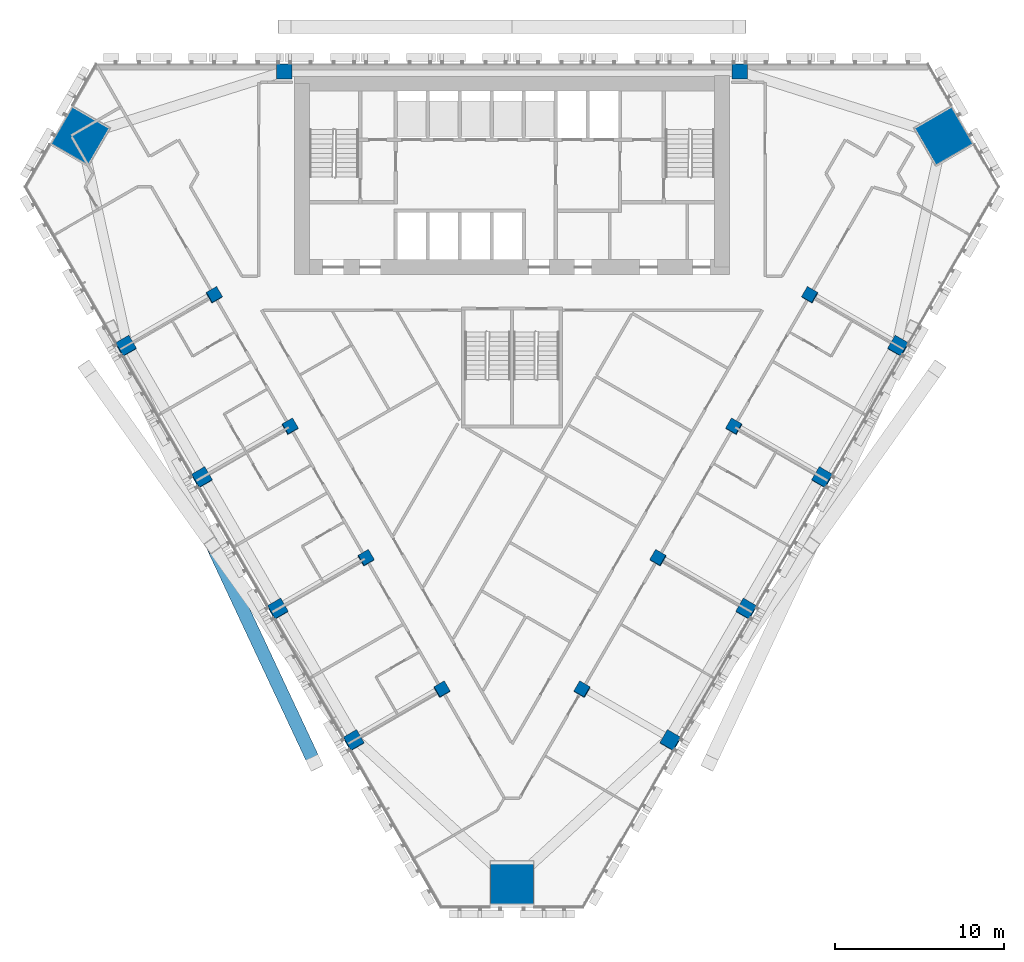
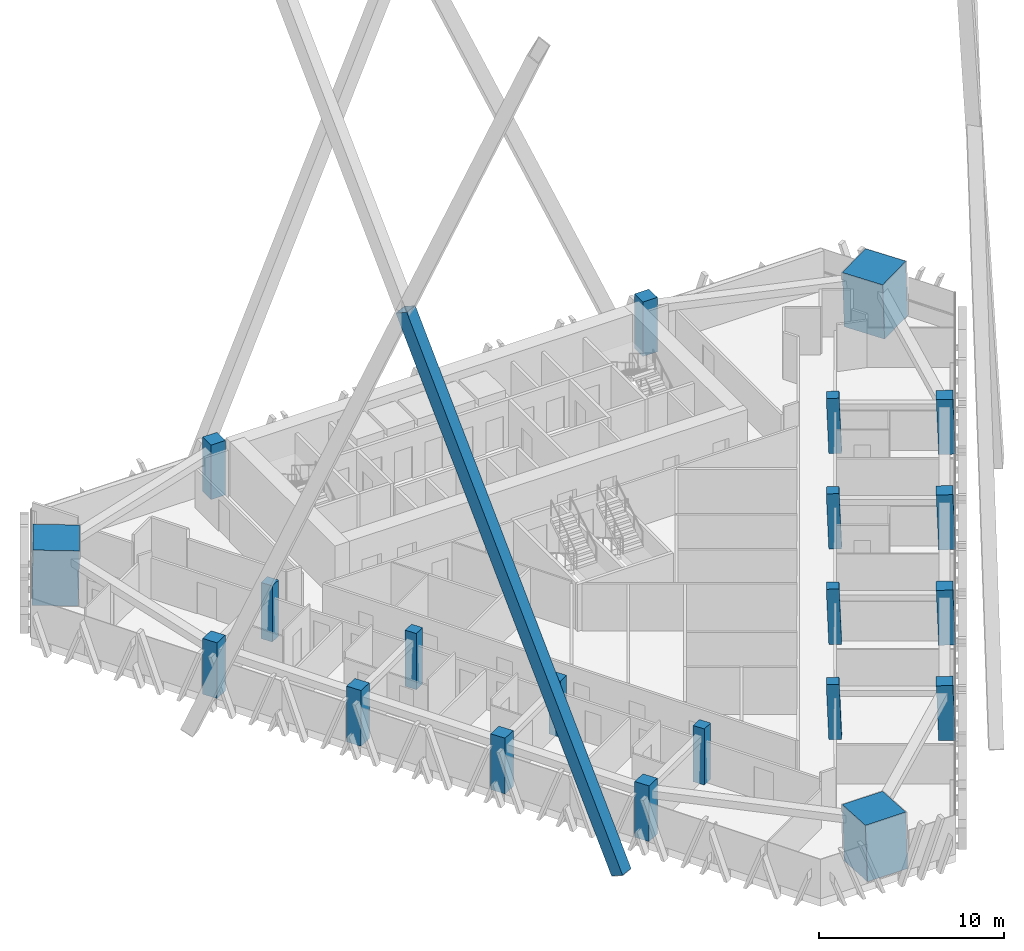
# One storey, part 1 of 23: 21 columns, 1 member.
"""IFC4 building model written with IfcOpenShell, lengths in metres."""

from ifc_helpers import new_model, si_unit, direction, frame, origin, origin_2d, place, context, subcontext, project, spatial, rectangle, hollow_rectangle, extrude, material, material_profile, profile_set, type_object, element, save


model = new_model("IFC4")

# Units and contexts
model_context = context("Model", 3, precision=1e-05, world=origin(), true_north=direction((0.0, 1.0)))
body_context = subcontext(model_context, "Body", "Model", "MODEL_VIEW")
ifc_project = project(units=[si_unit("LENGTHUNIT", "METRE"), si_unit("AREAUNIT", "SQUARE_METRE"), si_unit("VOLUMEUNIT", "CUBIC_METRE"), si_unit("PLANEANGLEUNIT", "RADIAN"), si_unit("MASSUNIT", "GRAM", prefix="KILO")], contexts=[model_context])

# Site, building, storey
site_placement = place(None, origin())
site = spatial("IfcSite", under=ifc_project, at=site_placement, CompositionType="ELEMENT")
building_placement = place(site_placement, origin())
building = spatial("IfcBuilding", under=site, at=building_placement, Name="Altiplano Prism Tower", CompositionType="ELEMENT")
storey_placement = place(building_placement, frame((0.0, 0.0, 100.800048828125)))
storey = spatial("IfcBuildingStorey", under=building, at=storey_placement, Name="L25", CompositionType="ELEMENT", Elevation=100.800048828125)

# Columns
ifc_material_1 = material(Name="Concrete C60/75", Category="concrete")
ifc_material_profile_1 = material_profile(ifc_material_1, rectangle(XDim=0.699951171875, YDim=0.699951171875, at=origin_2d()), Name="Inner column 700")
ifc_profile_set_1 = profile_set([ifc_material_profile_1], Name="Concrete C60/75")
column_type_1 = type_object("IfcColumnType", Name="Inner column 700", PredefinedType="COLUMN", material=ifc_profile_set_1)
for number, where, z_axis, x_axis, name in (
    (1, (67.33203125, 91.28076171875, -0.021240234375), (0.02215519141, 0.038415882353, 0.999016199807), (-0.865364621668, -0.499668992839, 0.038405327245), "Inner column I11 L25"),
    (2, (71.83203125, 83.486572265625, -0.021240234375), (0.02215519141, 0.038415882353, 0.999016199807), (-0.865364621668, -0.499668992839, 0.038405327245), "Inner column I12 L25"),
    (3, (76.33203125, 75.6923828125, -0.021240234375), (0.02215519141, 0.038415882353, 0.999016199807), (-0.865364630406, -0.499668977735, 0.038405326858), "Inner column I13 L25"),
    (4, (80.83203125, 67.89794921875, -0.021240234375), (0.022155133694, 0.038483534979, 0.999013597298), (-0.864982374722, -0.500326515773, 0.038456066293), "Inner column I14 L25"),
    (5, (89.16796875, 67.89794921875, -0.021240234375), (-0.022155133694, 0.038483534979, 0.999013597298), (-0.501312917718, -0.864981153061, 0.022202778626), "Inner column I21 L25"),
    (6, (93.66796875, 75.6923828125, -0.021240234375), (-0.02215519141, 0.038415882353, 0.999016199807), (-0.500652777817, -0.865364161883, 0.022173483991), "Inner column I22 L25"),
    (7, (98.16796875, 83.486572265625, -0.021240234375), (-0.02215519141, 0.038415882353, 0.999016199807), (-0.50065279292, -0.865364153162, 0.02217348332), "Inner column I23 L25"),
    (8, (102.66796875, 91.28076171875, -0.021240234375), (-0.02215519141, 0.038415882353, 0.999016199807), (-0.50065279292, -0.865364153162, 0.02217348332), "Inner column I24 L25"),
):
    element("IfcColumn", number, at=place(storey_placement, frame(where, z_axis=z_axis, x_axis=x_axis)), inside=storey, type_object=column_type_1, Name=name, PredefinedType="COLUMN", context=body_context, shape_type="SweptSolid", body=[
        extrude(rectangle(XDim=0.699951171875, YDim=0.699951171875, at=origin_2d()), origin(), (0.0, 0.0, 1.0), 3.603515625),
    ])
ifc_material_2 = material(Name="Concrete C70/85", Category="concrete")
ifc_material_profile_2 = material_profile(ifc_material_2, rectangle(XDim=2.52001953125, YDim=2.52001953125, at=origin_2d()), Name="Mega column infill 2600")
ifc_profile_set_2 = profile_set([ifc_material_profile_2], Name="Concrete C70/85")
column_type_2 = type_object("IfcColumnType", Name="Mega column infill 2600", PredefinedType="COLUMN", material=ifc_profile_set_2)
column_1_placement = place(storey_placement, frame((59.348876953125, 100.703125, 0.0), z_axis=(0.028403739082, 0.009219352065, 0.999554016126), x_axis=(-0.865121500753, 0.501164983388, 0.019961171317)))
element("IfcColumn", 9, at=column_1_placement, inside=storey, type_object=column_type_2, Name="Mega column M0 L25", PredefinedType="COLUMN", context=body_context, shape_type="SweptSolid", body=[
    extrude(rectangle(XDim=2.52001953125, YDim=2.52001953125, at=origin_2d()), origin(), (0.0, 0.0, 1.0), 3.6015625),
])
column_2_placement = place(storey_placement, frame((85.0, 56.274169921875, 0.0), z_axis=(0.0, 0.058360852261, 0.998295552892), x_axis=(-1.0, 0.0, 0.0)))
element("IfcColumn", 10, at=column_2_placement, inside=storey, type_object=column_type_2, Name="Mega column M1 L25", PredefinedType="COLUMN", context=body_context, shape_type="SweptSolid", body=[
    extrude(rectangle(XDim=2.52001953125, YDim=2.52001953125, at=origin_2d()), origin(), (0.0, 0.0, 1.0), 3.60595703125),
])
column_3_placement = place(storey_placement, frame((110.651123046875, 100.703125, 0.0), z_axis=(-0.028403739082, 0.009219352065, 0.999554016126), x_axis=(0.500757442821, -0.865302642417, 0.022210819119)))
element("IfcColumn", 11, at=column_3_placement, inside=storey, type_object=column_type_2, Name="Mega column M2 L25", PredefinedType="COLUMN", context=body_context, shape_type="SweptSolid", body=[
    extrude(rectangle(XDim=2.52001953125, YDim=2.52001953125, at=origin_2d()), origin(), (0.0, 0.0, 1.0), 3.6015625),
])
ifc_material_profile_3 = material_profile(ifc_material_1, rectangle(XDim=0.89990234375, YDim=0.89990234375, at=origin_2d()), Name="Perimeter column 900")
ifc_profile_set_3 = profile_set([ifc_material_profile_3], Name="Concrete C60/75")
column_type_3 = type_object("IfcColumnType", Name="Perimeter column 900", PredefinedType="COLUMN", material=ifc_profile_set_3)
for number, where, z_axis, x_axis, name in (
    (12, (98.5, 104.550048828125, 0.0), (0.0, 0.0, 1.0), (1.0, 0.0, 0.0), "Perimeter column P01 L25"),
    (13, (71.5, 104.550048828125, 0.0), (0.0, 0.0, 1.0), (1.0, 0.0, 0.0), "Perimeter column P04 L25"),
):
    element("IfcColumn", number, at=place(storey_placement, frame(where, z_axis=z_axis, x_axis=x_axis)), inside=storey, type_object=column_type_3, Name=name, PredefinedType="COLUMN", context=body_context, shape_type="SweptSolid", body=[
        extrude(rectangle(XDim=0.89990234375, YDim=0.89990234375, at=origin_2d()), origin(), (0.0, 0.0, 1.0), 3.599853515625),
    ])
for number, where, z_axis, x_axis, name in (
    (14, (62.093017578125, 88.256591796875, 0.0), (0.022186675517, 0.038434148665, 0.999014798512), (-0.865568283213, -0.499314007513, 0.038432655342), "Perimeter column P11 L25"),
    (15, (66.593017578125, 80.46240234375, 0.0), (0.022186675517, 0.038434148665, 0.999014798512), (-0.865568283213, -0.499314007513, 0.038432655342), "Perimeter column P12 L25"),
    (16, (71.093017578125, 72.66796875, 0.0), (0.022186617253, 0.038502314248, 0.999012175007), (-0.865183402307, -0.49997667947, 0.038483767457), "Perimeter column P13 L25"),
    (17, (75.593017578125, 64.873779296875, 0.0), (0.022186675517, 0.038434148665, 0.999014798512), (-0.865568283213, -0.499314007513, 0.038432655342), "Perimeter column P14 L25"),
    (18, (94.406982421875, 64.873779296875, 0.0), (-0.022186675517, 0.038434148665, 0.999014798512), (-0.500299208999, -0.865568216906, 0.022189262211), "Perimeter column P21 L25"),
    (19, (98.906982421875, 72.66796875, 0.0), (-0.022186617253, 0.038502314248, 0.999012175007), (-0.500964504119, -0.865182577138, 0.022218772015), "Perimeter column P22 L25"),
    (20, (103.406982421875, 80.46240234375, 0.0), (-0.022186675517, 0.038434148665, 0.999014798512), (-0.500299208999, -0.865568216906, 0.022189262211), "Perimeter column P23 L25"),
    (21, (107.906982421875, 88.256591796875, 0.0), (-0.022186675517, 0.038434148665, 0.999014798512), (-0.500299208999, -0.865568216906, 0.022189262211), "Perimeter column P24 L25"),
):
    element("IfcColumn", number, at=place(storey_placement, frame(where, z_axis=z_axis, x_axis=x_axis)), inside=storey, type_object=column_type_3, Name=name, PredefinedType="COLUMN", context=body_context, shape_type="SweptSolid", body=[
        extrude(rectangle(XDim=0.89990234375, YDim=0.89990234375, at=origin_2d()), origin(), (0.0, 0.0, 1.0), 3.576171875),
    ])

# Member
ifc_material_3 = material(Name="Steel S355", Category="steel")
ifc_material_profile_4 = material_profile(ifc_material_3, hollow_rectangle(XDim=0.800048828125, YDim=0.800048828125, WallThickness=0.0400390625, at=origin_2d()), Name="Mega brace Box 800x800x40")
ifc_profile_set_4 = profile_set([ifc_material_profile_4], Name="Steel S355")
member_type = type_object("IfcMemberType", Name="Mega brace Box 800x800x40", PredefinedType="BRACE", material=ifc_profile_set_4)
member_placement = place(storey_placement, frame((73.291015625, 63.563720703125, -0.813720703125), z_axis=(-0.174877056659, 0.372969319887, 0.91121452001), x_axis=(-0.905414441039, -0.424528785783, 0.0)))
element("IfcMember", 22, at=member_placement, inside=storey, type_object=member_type, Name="Mega brace 3.1.3", PredefinedType="BRACE", context=body_context, shape_type="SweptSolid", body=[
    extrude(hollow_rectangle(XDim=0.800048828125, YDim=0.800048828125, WallThickness=0.0400390625, at=origin_2d()), origin(), (0.0, 0.0, 1.0), 34.556884765625),
])

save(model, "model.ifc")
